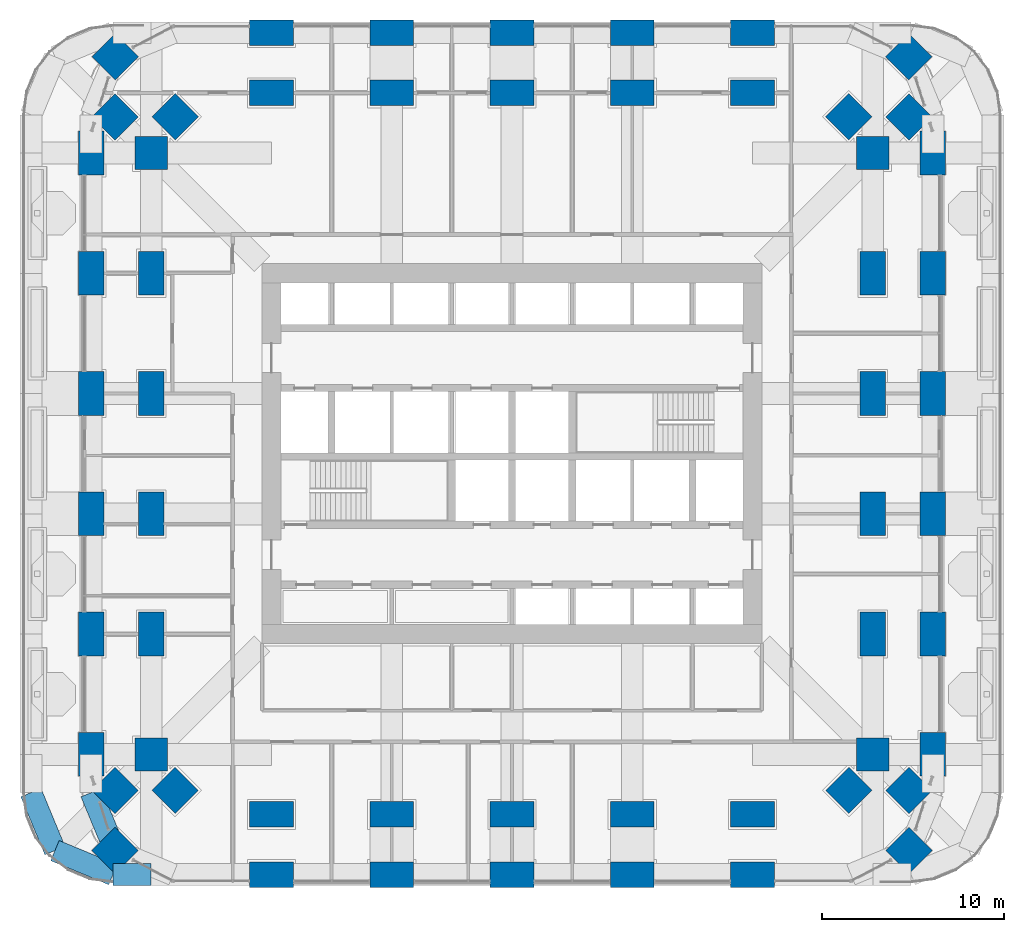
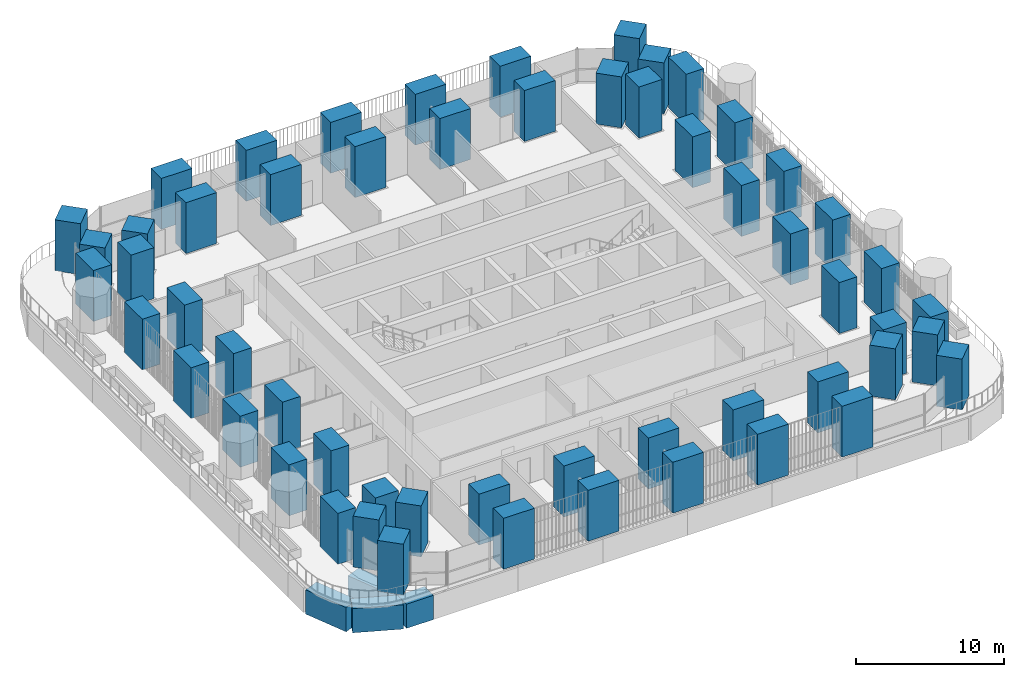
# One storey, part 1 of 27: 56 columns, 4 beams.
"""IFC4 building model written with IfcOpenShell, lengths in metres."""

from ifc_helpers import new_model, si_unit, direction, frame, origin, origin_2d, place, context, subcontext, project, spatial, rectangle, extrude, material, material_profile, profile_set, type_object, element, save


model = new_model("IFC4")

# Units and contexts
model_context = context("Model", 3, precision=1e-05, world=origin(), true_north=direction((0.0, 1.0)))
body_context = subcontext(model_context, "Body", "Model", "MODEL_VIEW")
ifc_project = project(units=[si_unit("LENGTHUNIT", "METRE"), si_unit("AREAUNIT", "SQUARE_METRE"), si_unit("VOLUMEUNIT", "CUBIC_METRE"), si_unit("PLANEANGLEUNIT", "RADIAN"), si_unit("MASSUNIT", "GRAM", prefix="KILO")], contexts=[model_context])

# Site, building, storey
site_placement = place(None, origin())
site = spatial("IfcSite", under=ifc_project, at=site_placement, CompositionType="ELEMENT")
building_placement = place(site_placement, origin())
building = spatial("IfcBuilding", under=site, at=building_placement, Name="Cobogo Forest Laboratory Tower", CompositionType="ELEMENT")
storey_placement = place(building_placement, frame((0.0, 0.0, 82.199951171875)))
storey = spatial("IfcBuildingStorey", under=building, at=storey_placement, Name="L18", CompositionType="ELEMENT", Elevation=82.199951171875)

# Columns
ifc_material_1 = material(Name="Concrete HA-50 (C50/60)", Category="concrete")
ifc_material_profile_1 = material_profile(ifc_material_1, rectangle(XDim=2.39990234375, YDim=1.39990234375, at=origin_2d()), Name="RC 1400x2400")
ifc_profile_set_1 = profile_set([ifc_material_profile_1], Name="Concrete HA-50 (C50/60)")
column_type_1 = type_object("IfcColumnType", Name="Blade column 1400x2400", PredefinedType="COLUMN", material=ifc_profile_set_1)
for number, where, z_axis, x_axis, name in (
    (1, (13.199951171875, 0.0, 0.0), (0.0, 0.0, 1.0), (1.0, 0.0, 0.0), "Column 3-A L18"),
    (2, (19.800048828125, 0.0, 0.0), (0.0, 0.0, 1.0), (1.0, 0.0, 0.0), "Column 4-A L18"),
    (3, (26.39990234375, 0.0, 0.0), (0.0, 0.0, 1.0), (1.0, 0.0, 0.0), "Column 5-A L18"),
    (4, (33.0, 0.0, 0.0), (0.0, 0.0, 1.0), (1.0, 0.0, 0.0), "Column 6-A L18"),
    (5, (39.60009765625, 0.0, 0.0), (0.0, 0.0, 1.0), (1.0, 0.0, 0.0), "Column 7-A L18"),
    (6, (3.300048828125, 6.60009765625, 0.0), (0.0, 0.0, 1.0), (0.0, 1.0, 0.0), "Column 1.1-B L18"),
    (7, (49.5, 6.60009765625, 0.0), (0.0, 0.0, 1.0), (0.0, 1.0, 0.0), "Column 8.1-B L18"),
    (8, (3.300048828125, 13.199951171875, 0.0), (0.0, 0.0, 1.0), (0.0, 1.0, 0.0), "Column 1.1-C L18"),
    (9, (49.5, 13.199951171875, 0.0), (0.0, 0.0, 1.0), (0.0, 1.0, 0.0), "Column 8.1-C L18"),
    (10, (3.300048828125, 19.800048828125, 0.0), (0.0, 0.0, 1.0), (0.0, 1.0, 0.0), "Column 1.1-D L18"),
    (11, (49.5, 19.800048828125, 0.0), (0.0, 0.0, 1.0), (0.0, 1.0, 0.0), "Column 8.1-D L18"),
    (12, (3.300048828125, 26.39990234375, 0.0), (0.0, 0.0, 1.0), (0.0, 1.0, 0.0), "Column 1.1-E L18"),
    (13, (49.5, 26.39990234375, 0.0), (0.0, 0.0, 1.0), (0.0, 1.0, 0.0), "Column 8.1-E L18"),
    (14, (3.300048828125, 33.0, 0.0), (0.0, 0.0, 1.0), (0.0, 1.0, 0.0), "Column 1.1-F L18"),
    (15, (49.5, 33.0, 0.0), (0.0, 0.0, 1.0), (0.0, 1.0, 0.0), "Column 8.1-F L18"),
    (16, (3.300048828125, 39.60009765625, 0.0), (0.0, 0.0, 1.0), (0.0, 1.0, 0.0), "Column 1.1-G L18"),
    (17, (49.5, 39.60009765625, 0.0), (0.0, 0.0, 1.0), (0.0, 1.0, 0.0), "Column 8.1-G L18"),
    (18, (13.199951171875, 46.199951171875, 0.0), (0.0, 0.0, 1.0), (1.0, 0.0, 0.0), "Column 3-H L18"),
    (19, (19.800048828125, 46.199951171875, 0.0), (0.0, 0.0, 1.0), (1.0, 0.0, 0.0), "Column 4-H L18"),
    (20, (26.39990234375, 46.199951171875, 0.0), (0.0, 0.0, 1.0), (1.0, 0.0, 0.0), "Column 5-H L18"),
    (21, (33.0, 46.199951171875, 0.0), (0.0, 0.0, 1.0), (1.0, 0.0, 0.0), "Column 6-H L18"),
    (22, (39.60009765625, 46.199951171875, 0.0), (0.0, 0.0, 1.0), (1.0, 0.0, 0.0), "Column 7-H L18"),
    (23, (13.199951171875, 3.300048828125, 0.0), (0.0, 0.0, 1.0), (1.0, 0.0, 0.0), "Column 3-A.1-C L18"),
    (24, (19.800048828125, 3.300048828125, 0.0), (0.0, 0.0, 1.0), (1.0, 0.0, 0.0), "Column 4-A.1-C L18"),
    (25, (26.39990234375, 3.300048828125, 0.0), (0.0, 0.0, 1.0), (1.0, 0.0, 0.0), "Column 5-A.1-C L18"),
    (26, (33.0, 3.300048828125, 0.0), (0.0, 0.0, 1.0), (1.0, 0.0, 0.0), "Column 6-A.1-C L18"),
    (27, (39.60009765625, 3.300048828125, 0.0), (0.0, 0.0, 1.0), (1.0, 0.0, 0.0), "Column 7-A.1-C L18"),
    (28, (13.199951171875, 42.89990234375, 0.0), (0.0, 0.0, 1.0), (1.0, 0.0, 0.0), "Column 3-G.1-C L18"),
    (29, (19.800048828125, 42.89990234375, 0.0), (0.0, 0.0, 1.0), (1.0, 0.0, 0.0), "Column 4-G.1-C L18"),
    (30, (26.39990234375, 42.89990234375, 0.0), (0.0, 0.0, 1.0), (1.0, 0.0, 0.0), "Column 5-G.1-C L18"),
    (31, (33.0, 42.89990234375, 0.0), (0.0, 0.0, 1.0), (1.0, 0.0, 0.0), "Column 6-G.1-C L18"),
    (32, (39.60009765625, 42.89990234375, 0.0), (0.0, 0.0, 1.0), (1.0, 0.0, 0.0), "Column 7-G.1-C L18"),
    (33, (6.60009765625, 13.199951171875, 0.0), (0.0, 0.0, 1.0), (0.0, 1.0, 0.0), "Column 2-C-D L18"),
    (34, (46.199951171875, 13.199951171875, 0.0), (0.0, 0.0, 1.0), (0.0, 1.0, 0.0), "Column 8-C-D L18"),
    (35, (6.60009765625, 19.800048828125, 0.0), (0.0, 0.0, 1.0), (0.0, 1.0, 0.0), "Column 2-D-D L18"),
    (36, (46.199951171875, 19.800048828125, 0.0), (0.0, 0.0, 1.0), (0.0, 1.0, 0.0), "Column 8-D-D L18"),
    (37, (6.60009765625, 26.39990234375, 0.0), (0.0, 0.0, 1.0), (0.0, 1.0, 0.0), "Column 2-E-D L18"),
    (38, (46.199951171875, 26.39990234375, 0.0), (0.0, 0.0, 1.0), (0.0, 1.0, 0.0), "Column 8-E-D L18"),
    (39, (6.60009765625, 33.0, 0.0), (0.0, 0.0, 1.0), (0.0, 1.0, 0.0), "Column 2-F-D L18"),
    (40, (46.199951171875, 33.0, 0.0), (0.0, 0.0, 1.0), (0.0, 1.0, 0.0), "Column 8-F-D L18"),
):
    element("IfcColumn", number, at=place(storey_placement, frame(where, z_axis=z_axis, x_axis=x_axis)), inside=storey, type_object=column_type_1, Name=name, PredefinedType="COLUMN", context=body_context, shape_type="SweptSolid", body=[
        extrude(rectangle(XDim=2.39990234375, YDim=1.39990234375, at=origin_2d()), origin(), (0.0, 0.0, 1.0), 4.199951171875),
    ])
ifc_material_profile_2 = material_profile(ifc_material_1, rectangle(XDim=1.800048828125, YDim=1.800048828125, at=origin_2d()), Name="RC 1800x1800")
ifc_profile_set_2 = profile_set([ifc_material_profile_2], Name="Concrete HA-50 (C50/60)")
column_type_2 = type_object("IfcColumnType", Name="Column 1800x1800", PredefinedType="COLUMN", material=ifc_profile_set_2)
for number, where, z_axis, x_axis, name in (
    (41, (4.617919921875, 1.318115234375, 0.0), (0.0, 0.0, 1.0), (0.707106781187, 0.707106781187, 0.0), "Column CNR-SW L18"),
    (42, (48.181884765625, 1.318115234375, 0.0), (0.0, 0.0, 1.0), (0.707106781187, 0.707106781187, 0.0), "Column CNR-SE L18"),
    (43, (4.617919921875, 44.882080078125, 0.0), (0.0, 0.0, 1.0), (0.707106781187, 0.707106781187, 0.0), "Column CNR-NW L18"),
    (44, (48.181884765625, 44.882080078125, 0.0), (0.0, 0.0, 1.0), (0.707106781187, 0.707106781187, 0.0), "Column CNR-NE L18"),
    (45, (6.60009765625, 6.60009765625, 0.0), (0.0, 0.0, 1.0), (1.0, 0.0, 0.0), "Column 2-B L18"),
    (46, (46.199951171875, 6.60009765625, 0.0), (0.0, 0.0, 1.0), (1.0, 0.0, 0.0), "Column 8-B L18"),
    (47, (6.60009765625, 39.60009765625, 0.0), (0.0, 0.0, 1.0), (1.0, 0.0, 0.0), "Column 2-G L18"),
    (48, (46.199951171875, 39.60009765625, 0.0), (0.0, 0.0, 1.0), (1.0, 0.0, 0.0), "Column 8-G L18"),
    (49, (4.617919921875, 4.617919921875, 0.0), (0.0, 0.0, 1.0), (0.707106781187, 0.707106781187, 0.0), "Column CNR-SW-C L18"),
    (50, (48.181884765625, 4.617919921875, 0.0), (0.0, 0.0, 1.0), (0.707106781187, 0.707106781187, 0.0), "Column CNR-SE-C L18"),
    (51, (4.617919921875, 41.58203125, 0.0), (0.0, 0.0, 1.0), (0.707106781187, 0.707106781187, 0.0), "Column CNR-NW-C L18"),
    (52, (48.181884765625, 41.58203125, 0.0), (0.0, 0.0, 1.0), (0.707106781187, 0.707106781187, 0.0), "Column CNR-NE-C L18"),
    (53, (7.91796875, 4.617919921875, 0.0), (0.0, 0.0, 1.0), (0.707106781187, 0.707106781187, 0.0), "Column CNR-SW-D L18"),
    (54, (44.882080078125, 4.617919921875, 0.0), (0.0, 0.0, 1.0), (0.707106781187, 0.707106781187, 0.0), "Column CNR-SE-D L18"),
    (55, (7.91796875, 41.58203125, 0.0), (0.0, 0.0, 1.0), (0.707106781187, 0.707106781187, 0.0), "Column CNR-NW-D L18"),
    (56, (44.882080078125, 41.58203125, 0.0), (0.0, 0.0, 1.0), (0.707106781187, 0.707106781187, 0.0), "Column CNR-NE-D L18"),
):
    element("IfcColumn", number, at=place(storey_placement, frame(where, z_axis=z_axis, x_axis=x_axis)), inside=storey, type_object=column_type_2, Name=name, PredefinedType="COLUMN", context=body_context, shape_type="SweptSolid", body=[
        extrude(rectangle(XDim=1.800048828125, YDim=1.800048828125, at=origin_2d()), origin(), (0.0, 0.0, 1.0), 4.199951171875),
    ])

# Beams
ifc_material_2 = material(Name="Concrete HA-40 (C40/50)", Category="concrete")
ifc_material_profile_3 = material_profile(ifc_material_2, rectangle(XDim=1.199951171875, YDim=2.0, at=origin_2d()), Name="RC 1200x2000")
ifc_profile_set_3 = profile_set([ifc_material_profile_3], Name="Concrete HA-40 (C40/50)")
beam_type = type_object("IfcBeamType", Name="Setback floor girder 1200x2000", PredefinedType="BEAM", material=ifc_profile_set_3)
beam_placement = place(storey_placement, frame((6.60009765625, 0.0, -1.300048828125), z_axis=(-1.0, 0.0, 0.0), x_axis=(0.0, -1.0, 0.0)))
element("IfcBeam", 57, at=beam_placement, inside=storey, type_object=beam_type, Name="TG2 E-SWS1 L18", PredefinedType="BEAM", context=body_context, shape_type="SweptSolid", body=[
    extrude(rectangle(XDim=1.199951171875, YDim=2.0, at=origin_2d()), origin(), (0.0, 0.0, 1.0), 2.10009765625),
])
for number, where, z_axis, x_axis, name in (
    (58, (4.5, 0.0, -1.300048828125), (-0.923865631356, 0.382716990999, 0.0), (-0.382716990999, -0.923865631356, 0.0), "TG2 E-SWS2 L18"),
    (59, (0.0, 4.5, -1.300048828125), (0.382716990999, -0.923865631356, 0.0), (0.923865631356, 0.382716990999, 0.0), "TG2 E-SWW2 L18"),
    (60, (3.300048828125, 4.5, -1.300048828125), (0.382656484822, -0.923890694089, 0.0), (0.923890694089, 0.382656484822, 0.0), "TG2 UE-SWW2 L18"),
):
    element("IfcBeam", number, at=place(storey_placement, frame(where, z_axis=z_axis, x_axis=x_axis)), inside=storey, type_object=beam_type, Name=name, PredefinedType="BEAM", context=body_context, shape_type="SweptSolid", body=[
        extrude(rectangle(XDim=1.199951171875, YDim=2.0, at=origin_2d()), origin(), (0.0, 0.0, 1.0), 3.444091796875),
    ])

save(model, "model.ifc")
